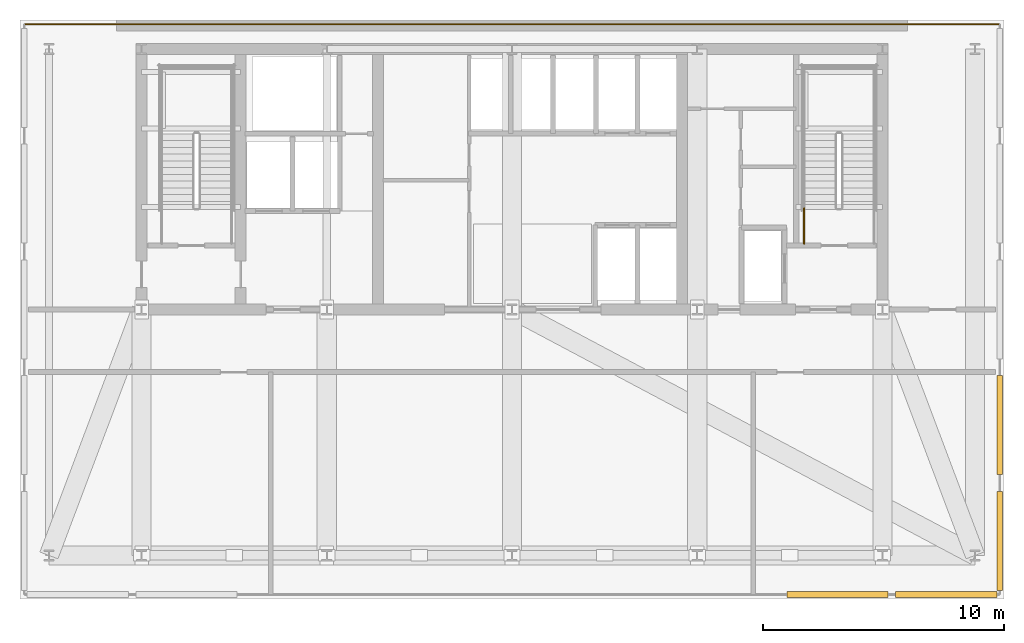
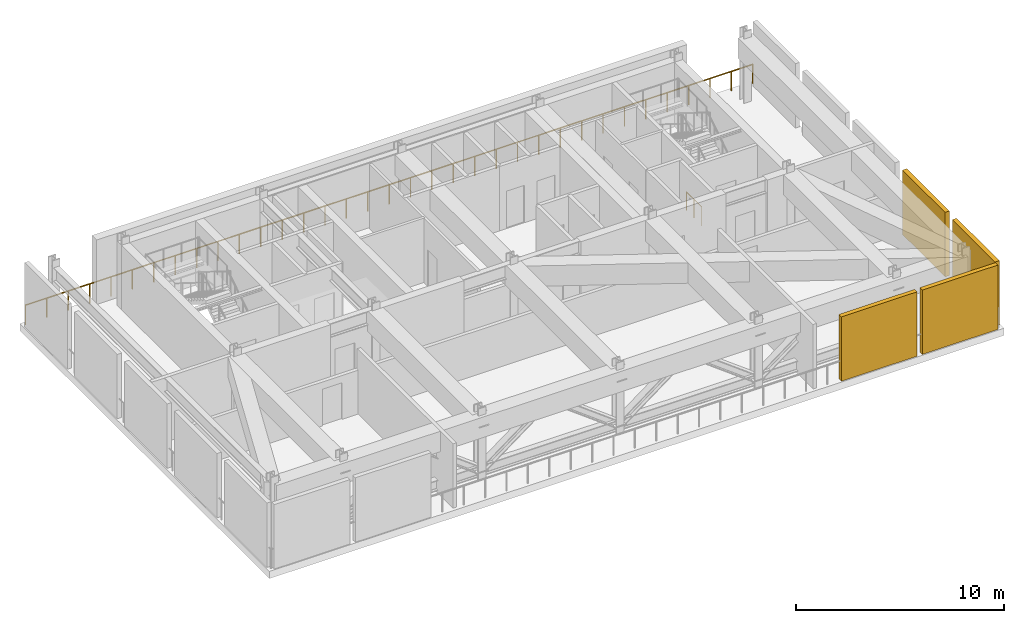
# One storey, part 7 of 8: 4 shading devices, 2 railings.
"""IFC4 building model written with IfcOpenShell, lengths in metres."""

from ifc_helpers import new_model, si_unit, direction, frame, origin, origin_2d, place, context, subcontext, project, spatial, rectangle, circle, extrude, material, layer, layer_set, type_object, element, save


model = new_model("IFC4")

# Units and contexts
model_context = context("Model", 3, precision=1e-05, world=origin(), true_north=direction((0.0, 1.0)))
body_context = subcontext(model_context, "Body", "Model", "MODEL_VIEW")
ifc_project = project(units=[si_unit("LENGTHUNIT", "METRE"), si_unit("AREAUNIT", "SQUARE_METRE"), si_unit("VOLUMEUNIT", "CUBIC_METRE"), si_unit("PLANEANGLEUNIT", "RADIAN"), si_unit("MASSUNIT", "GRAM", prefix="KILO")], contexts=[model_context])

# Site, building, storey
site_placement = place(None, origin())
site = spatial("IfcSite", under=ifc_project, at=site_placement, CompositionType="ELEMENT")
building_placement = place(site_placement, origin())
building = spatial("IfcBuilding", under=site, at=building_placement, Name="Yelkora Congress Tower", CompositionType="ELEMENT")
storey_placement = place(building_placement, frame((0.0, 0.0, 200.300048828125)))
storey = spatial("IfcBuildingStorey", under=building, at=storey_placement, Name="L55", CompositionType="ELEMENT", Elevation=200.300048828125)

# Railings
ifc_material_1 = material(Name="Stainless steel 316L and laminated glass infill", Category="steel")
ifc_layer_1 = layer(ifc_material_1, 0.080078125)
ifc_layer_set_1 = layer_set([ifc_layer_1], Name="Stainless steel 316L and laminated glass infill")
railing_type_1 = type_object("IfcRailingType", Name="RAIL-EXT-GUARD-1150", PredefinedType="GUARDRAIL", material=ifc_layer_set_1)
railing_1_placement = place(storey_placement, frame((18.199951171875, 47.219970703125, 0.0)))
element("IfcRailing", 1, at=railing_1_placement, inside=storey, type_object=railing_type_1, Name="L55 North Perimeter Guardrail", PredefinedType="GUARDRAIL", context=body_context, shape_type="SweptSolid", body=[
    extrude(circle(Radius=0.02392578125, at=origin_2d()), frame((0.0, 0.0, 1.1259765625), z_axis=(1.0, 0.0, 0.0), x_axis=(0.0, 1.0, 0.0)), (0.0, 0.0, 1.0), 40.400146484375),
    extrude(circle(Radius=0.02099609375, at=origin_2d()), origin(), (0.0, 0.0, 1.0), 1.101806640625),
    extrude(circle(Radius=0.02099609375, at=origin_2d()), frame((1.188232421875, 0.0, 0.0)), (0.0, 0.0, 1.0), 1.101806640625),
    extrude(circle(Radius=0.02099609375, at=origin_2d()), frame((2.37646484375, 0.0, 0.0)), (0.0, 0.0, 1.0), 1.101806640625),
    extrude(circle(Radius=0.02099609375, at=origin_2d()), frame((3.564697265625, 0.0, 0.0)), (0.0, 0.0, 1.0), 1.101806640625),
    extrude(circle(Radius=0.02099609375, at=origin_2d()), frame((4.7529296875, 0.0, 0.0)), (0.0, 0.0, 1.0), 1.101806640625),
    extrude(circle(Radius=0.02099609375, at=origin_2d()), frame((5.941162109375, 0.0, 0.0)), (0.0, 0.0, 1.0), 1.101806640625),
    extrude(circle(Radius=0.02099609375, at=origin_2d()), frame((7.12939453125, 0.0, 0.0)), (0.0, 0.0, 1.0), 1.101806640625),
    extrude(circle(Radius=0.02099609375, at=origin_2d()), frame((8.317626953125, 0.0, 0.0)), (0.0, 0.0, 1.0), 1.101806640625),
    extrude(circle(Radius=0.02099609375, at=origin_2d()), frame((9.505859375, 0.0, 0.0)), (0.0, 0.0, 1.0), 1.101806640625),
    extrude(circle(Radius=0.02099609375, at=origin_2d()), frame((10.694091796875, 0.0, 0.0)), (0.0, 0.0, 1.0), 1.101806640625),
    extrude(circle(Radius=0.02099609375, at=origin_2d()), frame((11.88232421875, 0.0, 0.0)), (0.0, 0.0, 1.0), 1.101806640625),
    extrude(circle(Radius=0.02099609375, at=origin_2d()), frame((13.070556640625, 0.0, 0.0)), (0.0, 0.0, 1.0), 1.101806640625),
    extrude(circle(Radius=0.02099609375, at=origin_2d()), frame((14.2587890625, 0.0, 0.0)), (0.0, 0.0, 1.0), 1.101806640625),
    extrude(circle(Radius=0.02099609375, at=origin_2d()), frame((15.447021484375, 0.0, 0.0)), (0.0, 0.0, 1.0), 1.101806640625),
    extrude(circle(Radius=0.02099609375, at=origin_2d()), frame((16.63525390625, 0.0, 0.0)), (0.0, 0.0, 1.0), 1.101806640625),
    extrude(circle(Radius=0.02099609375, at=origin_2d()), frame((17.823486328125, 0.0, 0.0)), (0.0, 0.0, 1.0), 1.101806640625),
    extrude(circle(Radius=0.02099609375, at=origin_2d()), frame((19.01171875, 0.0, 0.0)), (0.0, 0.0, 1.0), 1.101806640625),
    extrude(circle(Radius=0.02099609375, at=origin_2d()), frame((20.2001953125, 0.0, 0.0)), (0.0, 0.0, 1.0), 1.101806640625),
    extrude(circle(Radius=0.02099609375, at=origin_2d()), frame((21.388427734375, 0.0, 0.0)), (0.0, 0.0, 1.0), 1.101806640625),
    extrude(circle(Radius=0.02099609375, at=origin_2d()), frame((22.57666015625, 0.0, 0.0)), (0.0, 0.0, 1.0), 1.101806640625),
    extrude(circle(Radius=0.02099609375, at=origin_2d()), frame((23.764892578125, 0.0, 0.0)), (0.0, 0.0, 1.0), 1.101806640625),
    extrude(circle(Radius=0.02099609375, at=origin_2d()), frame((24.953125, 0.0, 0.0)), (0.0, 0.0, 1.0), 1.101806640625),
    extrude(circle(Radius=0.02099609375, at=origin_2d()), frame((26.141357421875, 0.0, 0.0)), (0.0, 0.0, 1.0), 1.101806640625),
    extrude(circle(Radius=0.02099609375, at=origin_2d()), frame((27.32958984375, 0.0, 0.0)), (0.0, 0.0, 1.0), 1.101806640625),
    extrude(circle(Radius=0.02099609375, at=origin_2d()), frame((28.517822265625, 0.0, 0.0)), (0.0, 0.0, 1.0), 1.101806640625),
    extrude(circle(Radius=0.02099609375, at=origin_2d()), frame((29.7060546875, 0.0, 0.0)), (0.0, 0.0, 1.0), 1.101806640625),
    extrude(circle(Radius=0.02099609375, at=origin_2d()), frame((30.894287109375, 0.0, 0.0)), (0.0, 0.0, 1.0), 1.101806640625),
    extrude(circle(Radius=0.02099609375, at=origin_2d()), frame((32.08251953125, 0.0, 0.0)), (0.0, 0.0, 1.0), 1.101806640625),
    extrude(circle(Radius=0.02099609375, at=origin_2d()), frame((33.270751953125, 0.0, 0.0)), (0.0, 0.0, 1.0), 1.101806640625),
    extrude(circle(Radius=0.02099609375, at=origin_2d()), frame((34.458984375, 0.0, 0.0)), (0.0, 0.0, 1.0), 1.101806640625),
    extrude(circle(Radius=0.02099609375, at=origin_2d()), frame((35.647216796875, 0.0, 0.0)), (0.0, 0.0, 1.0), 1.101806640625),
    extrude(circle(Radius=0.02099609375, at=origin_2d()), frame((36.83544921875, 0.0, 0.0)), (0.0, 0.0, 1.0), 1.101806640625),
    extrude(circle(Radius=0.02099609375, at=origin_2d()), frame((38.023681640625, 0.0, 0.0)), (0.0, 0.0, 1.0), 1.101806640625),
    extrude(circle(Radius=0.02099609375, at=origin_2d()), frame((39.2119140625, 0.0, 0.0)), (0.0, 0.0, 1.0), 1.101806640625),
    extrude(circle(Radius=0.02099609375, at=origin_2d()), frame((40.400146484375, 0.0, 0.0)), (0.0, 0.0, 1.0), 1.101806640625),
])
ifc_material_2 = material(Name="Painted galvanised steel stair well guard with vertical infill", Category="steel")
ifc_layer_2 = layer(ifc_material_2, 0.06005859375)
ifc_layer_set_2 = layer_set([ifc_layer_2], Name="Painted galvanised steel stair well guard with vertical infill")
railing_type_2 = type_object("IfcRailingType", Name="RAIL-STAIR-GUARD-1120", PredefinedType="GUARDRAIL", material=ifc_layer_set_2)
railing_2_placement = place(storey_placement, frame((50.510009765625, 38.1201171875, 0.0)))
element("IfcRailing", 2, at=railing_2_placement, inside=storey, type_object=railing_type_2, Name="ST-02 L55 Stair Well Guardrail 9", PredefinedType="GUARDRAIL", context=body_context, shape_type="SweptSolid", body=[
    extrude(circle(Radius=0.02392578125, at=origin_2d()), frame((0.0, 0.0, 1.09619140625), z_axis=(0.0, 1.0, 0.0), x_axis=(-1.0, 0.0, 0.0)), (0.0, 0.0, 1.0), 1.47998046875),
    extrude(circle(Radius=0.02099609375, at=origin_2d()), origin(), (0.0, 0.0, 1.0), 1.072021484375),
    extrude(circle(Radius=0.02099609375, at=origin_2d()), frame((0.0, 0.739990234375, 0.0)), (0.0, 0.0, 1.0), 1.072021484375),
    extrude(circle(Radius=0.02099609375, at=origin_2d()), frame((0.0, 1.47998046875, 0.0)), (0.0, 0.0, 1.0), 1.072021484375),
])

# Shading devices
ifc_material_3 = material(Name="Perforated anodised aluminium louvre", Category="aluminium")
ifc_layer_3 = layer(ifc_material_3, 3.39990234375)
ifc_layer_set_3 = layer_set([ifc_layer_3], Name="Perforated anodised aluminium louvre")
shading_device_type = type_object("IfcShadingDeviceType", Name="SHD-LOUVRE-WIND", PredefinedType="JALOUSIE", material=ifc_layer_set_3)
for number, where, z_axis, x_axis, name in (
    (3, (58.6201171875, 25.800048828125, 0.0), (0.0, 0.0, 1.0), (1.0, 0.0, 0.0), "L55 Acoustic Wind-Floor Louvre Screen E1"),
    (4, (58.6201171875, 30.60009765625, 0.0), (0.0, 0.0, 1.0), (1.0, 0.0, 0.0), "L55 Acoustic Wind-Floor Louvre Screen E2"),
):
    element("IfcShadingDevice", number, at=place(storey_placement, frame(where, z_axis=z_axis, x_axis=x_axis)), inside=storey, type_object=shading_device_type, Name=name, PredefinedType="JALOUSIE", context=body_context, shape_type="SweptSolid", body=[
        extrude(rectangle(XDim=0.239990234375, YDim=4.10009765625, at=origin_2d()), origin(), (0.0, 0.0, 1.0), 3.780029296875),
    ])
for number, where, z_axis, x_axis, name in (
    (5, (51.89990234375, 23.580078125, 0.0), (0.0, 0.0, 1.0), (1.0, 0.0, 0.0), "L55 South Blow-Through Wind Louvre 8"),
    (6, (56.39990234375, 23.580078125, 0.0), (0.0, 0.0, 1.0), (1.0, 0.0, 0.0), "L55 South Blow-Through Wind Louvre 9"),
):
    element("IfcShadingDevice", number, at=place(storey_placement, frame(where, z_axis=z_axis, x_axis=x_axis)), inside=storey, type_object=shading_device_type, Name=name, PredefinedType="JALOUSIE", context=body_context, shape_type="SweptSolid", body=[
        extrude(rectangle(XDim=4.199951171875, YDim=0.239990234375, at=origin_2d()), origin(), (0.0, 0.0, 1.0), 3.780029296875),
    ])

save(model, "model.ifc")
